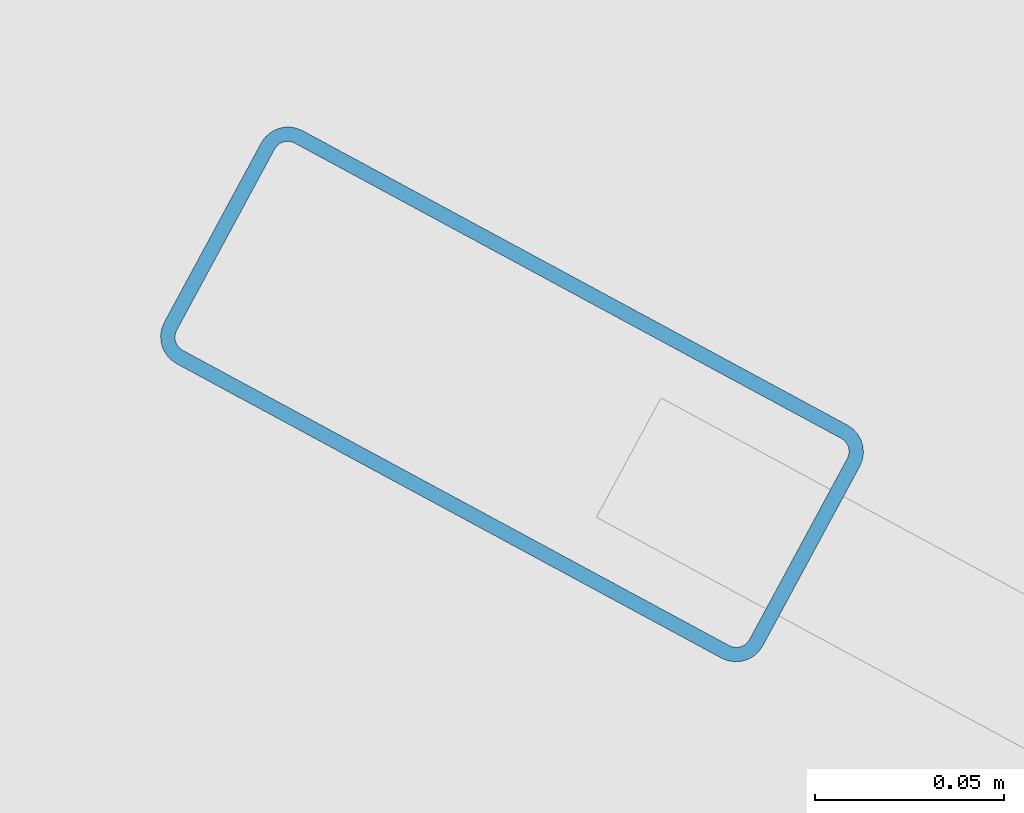
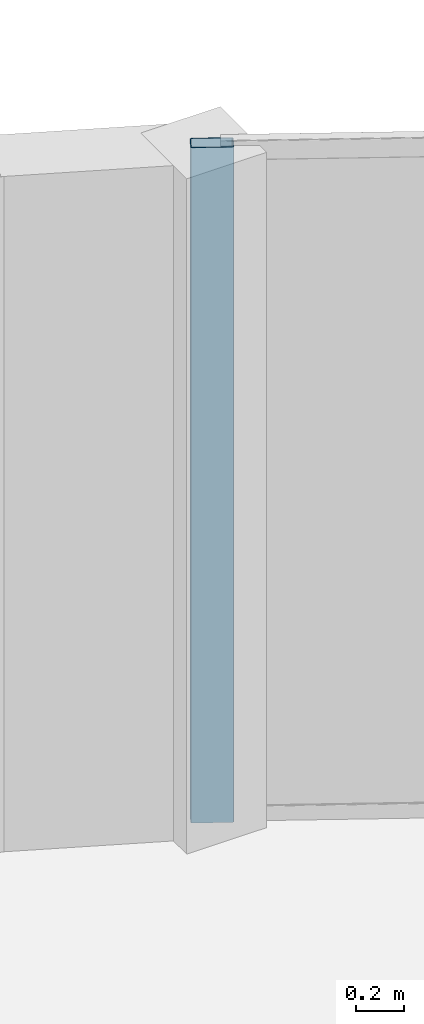
# One storey, part 7 of 13: 1 member, 1 element without a shape of its own.
"""IFC4 building model written with IfcOpenShell, lengths in metres."""

from ifc_helpers import new_model, si_unit, direction, frame, origin, origin_2d, place, context, subcontext, project, spatial, hollow_rectangle, extrude, material, layer, layer_set, material_profile, profile_set, type_object, element, aggregate, save


model = new_model("IFC4")

# Units and contexts
model_context = context("Model", 3, precision=1e-05, world=origin(), true_north=direction((0.0, 1.0)))
body_context = subcontext(model_context, "Body", "Model", "MODEL_VIEW")
ifc_project = project(units=[si_unit("LENGTHUNIT", "METRE"), si_unit("AREAUNIT", "SQUARE_METRE"), si_unit("VOLUMEUNIT", "CUBIC_METRE"), si_unit("PLANEANGLEUNIT", "RADIAN"), si_unit("MASSUNIT", "GRAM", prefix="KILO")], contexts=[model_context])

# Site, building, storey
site_placement = place(None, origin())
site = spatial("IfcSite", under=ifc_project, at=site_placement, CompositionType="ELEMENT")
building_placement = place(site_placement, origin())
building = spatial("IfcBuilding", under=site, at=building_placement, Name="An Khanh Terracotta Commons", CompositionType="ELEMENT")
storey_placement = place(building_placement, frame((0.0, 0.0, 212.10009765625)))
storey = spatial("IfcBuildingStorey", under=building, at=storey_placement, Name="L55", CompositionType="ELEMENT", Elevation=212.10009765625)

# Curtain wall, member
ifc_material = material(Name="Anodised Aluminium 6063-T6", Category="aluminium")
ifc_layer = layer(ifc_material, 0.2099609375, Name="Anodised Aluminium 6063-T6")
ifc_layer_set = layer_set([ifc_layer], Name="Anodised Aluminium 6063-T6")
curtain_wall_type = type_object("IfcCurtainWallType", Name="CW-SYS-03", PredefinedType="USERDEFINED", material=ifc_layer_set)
curtain_wall_placement = place(storey_placement, origin())
curtain_wall = element("IfcCurtainWall", 1, at=curtain_wall_placement, inside=storey, type_object=curtain_wall_type, Name="L55 CW-03 Unitised Curtain Wall CW-L55-16", ObjectType="UNITISED CURTAIN WALL", PredefinedType="USERDEFINED")
ifc_material_profile = material_profile(ifc_material, hollow_rectangle(XDim=0.070068359375, YDim=0.179931640625, WallThickness=0.00390625, InnerFilletRadius=0.00390625, OuterFilletRadius=0.008056640625, at=origin_2d()), Name="RHS180x70x4")
ifc_profile_set = profile_set([ifc_material_profile], Name="Anodised Aluminium 6063-T6")
member_type = type_object("IfcMemberType", Name="CWM-RHS180x70x4", PredefinedType="MULLION", material=ifc_profile_set)
member_placement = place(storey_placement, frame((57.3876953125, 39.058349609375, 0.0), z_axis=(0.0, 0.0, 1.0), x_axis=(-0.47538088298, -0.879780095306, 0.0)))
member = element("IfcMember", 2, at=member_placement, type_object=member_type, Name="CW-03 mullion 5", PredefinedType="MULLION", context=body_context, shape_type="SweptSolid", body=[
    extrude(hollow_rectangle(XDim=0.070068359375, YDim=0.179931640625, WallThickness=0.00390625, InnerFilletRadius=0.00390625, OuterFilletRadius=0.008056640625, at=origin_2d()), origin(), (0.0, 0.0, 1.0), 3.39990234375),
])
aggregate(curtain_wall, [member])

save(model, "model.ifc")
